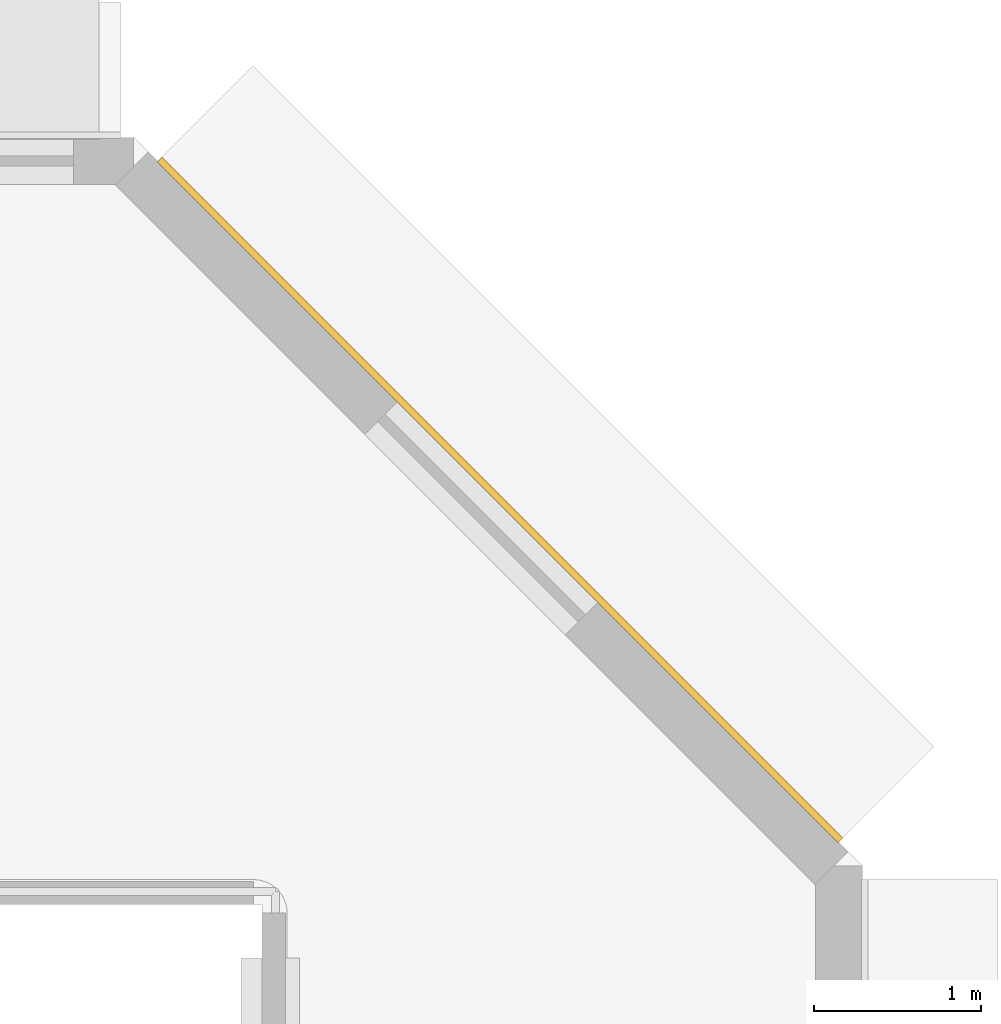
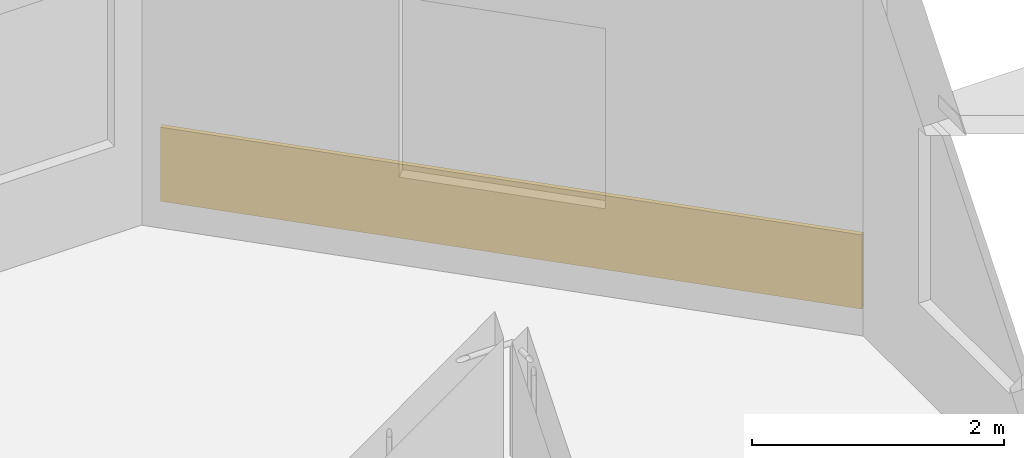
# One storey, part 89 of 89: 1 covering.
"""IFC4 building model written with IfcOpenShell, lengths in metres."""

from ifc_helpers import new_model, si_unit, direction, frame, origin, origin_2d, place, context, subcontext, project, spatial, rectangle, extrude, material, layer, layer_set, type_object, element, save


model = new_model("IFC4")

# Units and contexts
model_context = context("Model", 3, precision=1e-05, world=origin(), true_north=direction((0.0, 1.0)))
body_context = subcontext(model_context, "Body", "Model", "MODEL_VIEW")
ifc_project = project(units=[si_unit("LENGTHUNIT", "METRE"), si_unit("AREAUNIT", "SQUARE_METRE"), si_unit("VOLUMEUNIT", "CUBIC_METRE"), si_unit("PLANEANGLEUNIT", "RADIAN"), si_unit("MASSUNIT", "GRAM", prefix="KILO")], contexts=[model_context])

# Site, building, storey
site_placement = place(None, origin())
site = spatial("IfcSite", under=ifc_project, at=site_placement, CompositionType="ELEMENT")
building_placement = place(site_placement, origin())
building = spatial("IfcBuilding", under=site, at=building_placement, Name="Kelanivale Promenade Academy", CompositionType="ELEMENT")
storey_placement = place(building_placement, frame((0.0, 0.0, 12.199951171875)))
storey = spatial("IfcBuildingStorey", under=building, at=storey_placement, Name="L03", CompositionType="ELEMENT", Elevation=12.199951171875)

# Covering
ifc_material = material(Name="Warm ivory Art Deco stucco frieze band 40 mm", Category="masonry")
ifc_layer = layer(ifc_material, 0.0400390625)
ifc_layer_set = layer_set([ifc_layer], Name="Warm ivory Art Deco stucco frieze band 40 mm")
covering_type = type_object("IfcCoveringType", Name="COV-CLD2 Warm ivory Art Deco stucco frieze ba", PredefinedType="CLADDING", material=ifc_layer_set)
covering_placement = place(storey_placement, frame((156.626953125, 109.826904296875, 0.06005859375), z_axis=(0.0, 0.0, 1.0), x_axis=(-0.707106781187, 0.707106781187, 0.0)))
element("IfcCovering", 1, at=covering_placement, inside=storey, type_object=covering_type, Name="Art Deco ivory stucco sill frieze band", PredefinedType="CLADDING", context=body_context, shape_type="SweptSolid", body=[
    extrude(rectangle(XDim=5.77490234375, YDim=0.0400390625, at=origin_2d()), origin(), (0.0, 0.0, 1.0), 0.719970703125),
])

save(model, "model.ifc")
